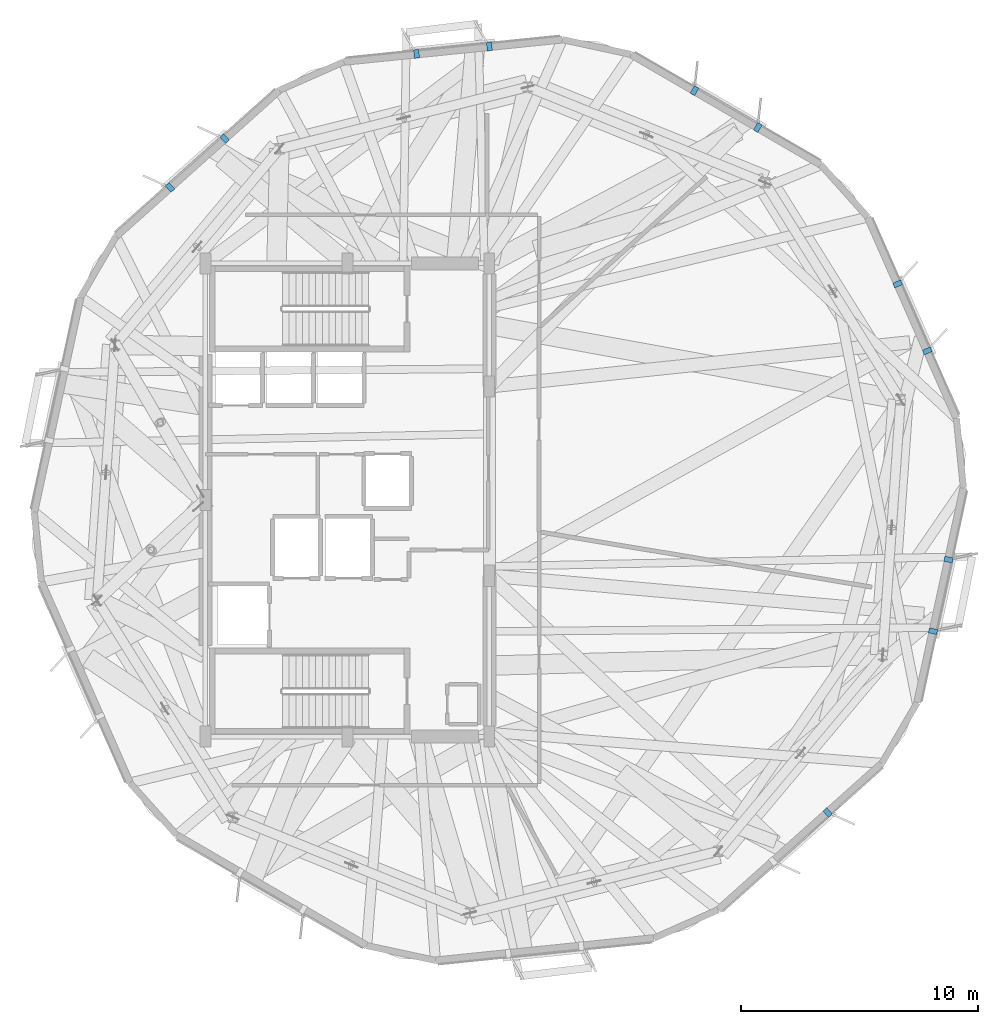
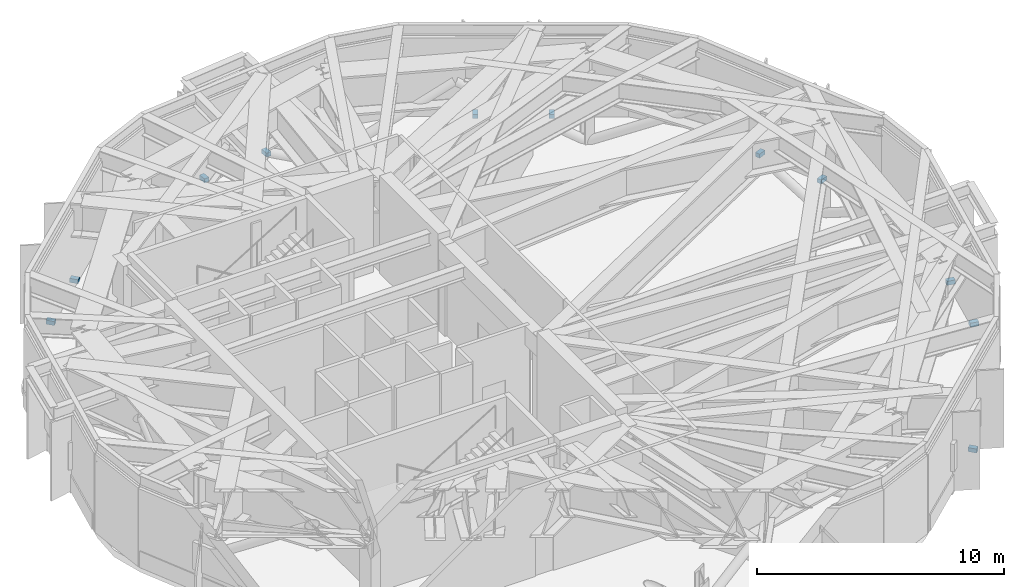
# One storey, part 10 of 14: 11 discrete accessories.
"""IFC4 building model written with IfcOpenShell, lengths in metres."""

import ifcopenshell
import ifcopenshell.guid

model = None  # the IFC model being written
_history = None  # IfcOwnerHistory: only IFC2X3 demands one
_inside = {}  # id of a spatial element -> (the spatial element, [elements in it])
_under = {}  # id of a project, library or spatial element -> (it, [spatial elements below it])
_declared = {}  # id of a project -> (the project, [libraries it declares])
_typed = {}  # id of a type object -> (the type object, [elements of that type])
_made_of = {}  # id of a material, layer set ... -> (it, [elements and type objects made of it])


def new_model(schema):
    """Start an empty IFC model of exactly this schema.

    Asked for "IFC4X3", IfcOpenShell would pick the latest addendum, in which some entities
    have other attributes; the version numbers below select the first issue.
    IFC2X3 requires an IfcOwnerHistory on every rooted entity: one is made here for all.
    """
    global model, _history
    if schema == "IFC4X3":
        model = ifcopenshell.file(schema_version=(4, 3, 0, 0))
    else:
        model = ifcopenshell.file(schema=schema)
    _inside.clear()
    _under.clear()
    _declared.clear()
    _typed.clear()
    _made_of.clear()
    _history = None
    if model.schema == "IFC2X3":
        org = make("IfcOrganization", Name="unknown")
        user = make(
            "IfcPersonAndOrganization",
            ThePerson=make("IfcPerson", FamilyName="unknown"),
            TheOrganization=org,
        )
        app = make(
            "IfcApplication",
            ApplicationDeveloper=org,
            Version="unknown",
            ApplicationFullName="unknown",
            ApplicationIdentifier="unknown",
        )
        _history = make(
            "IfcOwnerHistory",
            OwningUser=user,
            OwningApplication=app,
            ChangeAction="ADDED",
            CreationDate=0,
        )
    return model


def make(cls, **values):
    """One entity of the class cls with the attributes given. An attribute that is None is left unset."""
    return model.create_entity(
        cls, **{name: value for name, value in values.items() if value is not None}
    )


def rooted(cls, **values):
    """An entity with a GlobalId (a new one), such as an element, a storey or a relation."""
    return make(cls, GlobalId=ifcopenshell.guid.new(), OwnerHistory=_history, **values)


def si_unit(unit_type, name, prefix=None):
    """IfcSIUnit, for example si_unit("LENGTHUNIT", "METRE", prefix="MILLI")."""
    return make("IfcSIUnit", UnitType=unit_type, Prefix=prefix, Name=name)


def assignment(units):
    """IfcUnitAssignment: the units of a project."""
    return None if units is None else make("IfcUnitAssignment", Units=units)


def point(xyz):
    """IfcCartesianPoint."""
    return None if xyz is None else make("IfcCartesianPoint", Coordinates=xyz)


def direction(xyz):
    """IfcDirection."""
    return None if xyz is None else make("IfcDirection", DirectionRatios=xyz)


def frame(location, z_axis=None, x_axis=None):
    """IfcAxis2Placement3D, a coordinate frame: its origin and axes. An axis left out is left unset."""
    return make(
        "IfcAxis2Placement3D",
        Location=point(location),
        Axis=direction(z_axis),
        RefDirection=direction(x_axis),
    )


def frame_2d(location, x_axis=None):
    """IfcAxis2Placement2D, a coordinate frame in the plane: its origin and x axis."""
    return make(
        "IfcAxis2Placement2D", Location=point(location), RefDirection=direction(x_axis)
    )


def origin():
    """The frame at (0, 0, 0) with its axes left unset."""
    return frame((0.0, 0.0, 0.0))


def origin_2d():
    """The frame at (0, 0) in the plane with its x axis left unset."""
    return frame_2d((0.0, 0.0))


def place(relative_to, where):
    """IfcLocalPlacement: puts the frame where relative to a parent placement (None: the world)."""
    return make(
        "IfcLocalPlacement", PlacementRelTo=relative_to, RelativePlacement=where
    )


def context(
    kind, dimensions, precision=None, world=None, true_north=None, identifier=None
):
    """IfcGeometricRepresentationContext, for example the 3D "Model" context."""
    return make(
        "IfcGeometricRepresentationContext",
        ContextIdentifier=identifier,
        ContextType=kind,
        CoordinateSpaceDimension=dimensions,
        Precision=precision,
        WorldCoordinateSystem=world,
        TrueNorth=true_north,
    )


def subcontext(parent, identifier, kind, view, scale=None):
    """IfcGeometricRepresentationSubContext, for example "Body" below "Model"."""
    return make(
        "IfcGeometricRepresentationSubContext",
        ContextIdentifier=identifier,
        ContextType=kind,
        ParentContext=parent,
        TargetScale=scale,
        TargetView=view,
    )


def project(units=None, contexts=None):
    """IfcProject with its units and contexts."""
    return rooted(
        "IfcProject",
        Name="project",
        RepresentationContexts=contexts,
        UnitsInContext=assignment(units),
    )


def spatial(cls, under=None, at=None, **own):
    """A site, building, storey or space (cls), placed at a placement, below another one or the project."""
    s = rooted(cls, ObjectPlacement=at, **own)
    if under is not None:
        _under.setdefault(under.id(), (under, []))[1].append(s)
    return s


def profile(cls, at=None, kind="AREA", **sizes):
    """A parametric profile (cls). Its sizes go by their IFC names, for example OverallWidth=200.0."""
    return make(cls, ProfileType=kind, Position=at, **sizes)


def rectangle(**sizes):
    """IfcRectangleProfileDef."""
    return profile("IfcRectangleProfileDef", **sizes)


def extrude(swept, where, along, depth):
    """IfcExtrudedAreaSolid: the profile swept, set in the frame where, extruded along a direction by depth."""
    return make(
        "IfcExtrudedAreaSolid",
        SweptArea=swept,
        Position=where,
        ExtrudedDirection=direction(along),
        Depth=depth,
    )


def shape(context_of_items, identifier, shape_type, items):
    """IfcShapeRepresentation: the items that make up one representation, for example the "Body"."""
    return make(
        "IfcShapeRepresentation",
        ContextOfItems=context_of_items,
        RepresentationIdentifier=identifier,
        RepresentationType=shape_type,
        Items=items,
    )


def material(Name=None, Category=None):
    """IfcMaterial."""
    return make("IfcMaterial", Name=Name, Category=Category)


def made_of(thing, what):
    """Note that an element or type object is made of a material, layer set ...; save() writes the relation."""
    if what is not None:
        _made_of.setdefault(what.id(), (what, []))[1].append(thing)
    return thing


def type_object(cls, material=None, **own):
    """A type object (cls), such as IfcWallType, which elements share."""
    return made_of(rooted(cls, **own), material)


def element(
    cls,
    number,
    at=None,
    inside=None,
    cuts=None,
    type_object=None,
    material=None,
    context=None,
    identifier="Body",
    shape_type=None,
    held_by="IfcProductDefinitionShape",
    body=None,
    shapes=None,
    **own,
):
    """One element of the class cls, such as IfcWall. Its Tag is "e" and its number.

    at: its placement. inside: the storey or other place that contains it. cuts: it is an
    opening in that element (IfcRelVoidsElement). A single representation is given by context,
    identifier, shape_type and body (its items); several are given by shapes. held_by: the class
    of the entity that holds the representations. save() writes the other relations.
    """
    e = rooted(cls, Tag="e%d" % number, ObjectPlacement=at, **own)
    if body is not None:
        shapes = [shape(context, identifier, shape_type, body)]
    if shapes is not None:
        e.Representation = make(held_by, Representations=shapes)
    if inside is not None:
        _inside.setdefault(inside.id(), (inside, []))[1].append(e)
    if cuts is not None:
        rooted(
            "IfcRelVoidsElement", RelatingBuildingElement=cuts, RelatedOpeningElement=e
        )
    if type_object is not None:
        _typed.setdefault(type_object.id(), (type_object, []))[1].append(e)
    return made_of(e, material)


def aggregate(whole, parts):
    """IfcRelAggregates: a whole, such as a stair, and the parts it consists of."""
    return rooted("IfcRelAggregates", RelatingObject=whole, RelatedObjects=parts)


def save(model, path):
    """Write the relations noted so far, then the file.

    IfcRelAggregates (storeys below a building ...), IfcRelContainedInSpatialStructure (elements
    in a storey), IfcRelDefinesByType, IfcRelAssociatesMaterial and IfcRelDeclares: one each for
    every whole, place, type object, material and project.
    """
    for whole, parts in _under.values():
        aggregate(whole, parts)
    for where, things in _inside.values():
        rooted(
            "IfcRelContainedInSpatialStructure",
            RelatedElements=things,
            RelatingStructure=where,
        )
    for kind, things in _typed.values():
        rooted("IfcRelDefinesByType", RelatedObjects=things, RelatingType=kind)
    for what, things in _made_of.values():
        rooted("IfcRelAssociatesMaterial", RelatedObjects=things, RelatingMaterial=what)
    for by, libraries in _declared.values():
        rooted("IfcRelDeclares", RelatingContext=by, RelatedDefinitions=libraries)
    model.write(path)


model = new_model("IFC4")

# Units and contexts
model_context = context("Model", 3, precision=1e-05, world=origin(), true_north=direction((0.0, 1.0)))
body_context = subcontext(model_context, "Body", "Model", "MODEL_VIEW")
ifc_project = project(units=[si_unit("LENGTHUNIT", "METRE"), si_unit("AREAUNIT", "SQUARE_METRE"), si_unit("VOLUMEUNIT", "CUBIC_METRE"), si_unit("PLANEANGLEUNIT", "RADIAN"), si_unit("MASSUNIT", "GRAM", prefix="KILO")], contexts=[model_context])

# Site, building, storey
site_placement = place(None, origin())
site = spatial("IfcSite", under=ifc_project, at=site_placement, CompositionType="ELEMENT")
building_placement = place(site_placement, origin())
building = spatial("IfcBuilding", under=site, at=building_placement, Name="Soratama Intermodal Tower", CompositionType="ELEMENT")
storey_placement = place(building_placement, frame((0.0, 0.0, 185.800048828125)))
storey = spatial("IfcBuildingStorey", under=building, at=storey_placement, Name="L46", CompositionType="ELEMENT", Elevation=185.800048828125)

# Discrete accessories
ifc_material = material(Name="Structural steel ASTM A992 Grade 50", Category="steel")
discrete_accessory_type = type_object("IfcDiscreteAccessoryType", Name="AC-FIN-BRACKET", PredefinedType="BRACKET", material=ifc_material)
for number, where, z_axis, x_axis, name in (
    (1, (55.94580078125, 40.742919921875, -0.080078125), (0.0, 0.0, 1.0), (0.502718227172, 0.864450336381, 0.0), "L46 Fin Bracket F01-1"),
    (2, (53.269775390625, 42.299072265625, -0.080078125), (0.0, 0.0, 1.0), (0.502718227172, 0.864450336381, 0.0), "L46 Fin Bracket F01-2"),
    (3, (44.601806640625, 44.169921875, -0.080078125), (0.0, 0.0, 1.0), (-0.1014035699, 0.994845372916, 0.0), "L46 Fin Bracket F02-1"),
    (4, (41.522216796875, 43.85595703125, -0.080078125), (0.0, 0.0, 1.0), (-0.1014035699, 0.994845372916, 0.0), "L46 Fin Bracket F02-2"),
    (5, (33.41015625, 40.27490234375, -0.080078125), (0.0, 0.0, 1.0), (-0.66679264985, 0.745243290547, 0.0), "L46 Fin Bracket F03-1"),
    (6, (31.10302734375, 38.210693359375, -0.080078125), (0.0, 0.0, 1.0), (-0.66679264985, 0.745243290547, 0.0), "L46 Fin Bracket F03-2"),
    (7, (58.89697265625, 11.789306640625, -0.080078125), (0.0, 0.0, 1.0), (0.66679264985, -0.745243290547, 0.0), "L46 Fin Bracket F08-2"),
    (8, (63.354736328125, 19.45458984375, -0.080078125), (0.0, 0.0, 1.0), (0.977489601007, -0.210983601077, 0.0), "L46 Fin Bracket F09-1"),
    (9, (64.0078125, 22.480712890625, -0.080078125), (0.0, 0.0, 1.0), (0.977489601007, -0.210983601077, 0.0), "L46 Fin Bracket F09-2"),
    (10, (63.108642578125, 31.302490234375, -0.080078125), (0.0, 0.0, 1.0), (0.914818748228, 0.403864652935, 0.0), "L46 Fin Bracket F10-1"),
    (11, (61.8583984375, 34.134521484375, -0.080078125), (0.0, 0.0, 1.0), (0.914818748228, 0.403864652935, 0.0), "L46 Fin Bracket F10-2"),
):
    element("IfcDiscreteAccessory", number, at=place(storey_placement, frame(where, z_axis=z_axis, x_axis=x_axis)), inside=storey, type_object=discrete_accessory_type, Name=name, PredefinedType="BRACKET", context=body_context, shape_type="SweptSolid", body=[
        extrude(rectangle(XDim=0.360107421875, YDim=0.219970703125, at=origin_2d()), origin(), (0.0, 0.0, 1.0), 0.199951171875),
    ])

save(model, "model.ifc")
